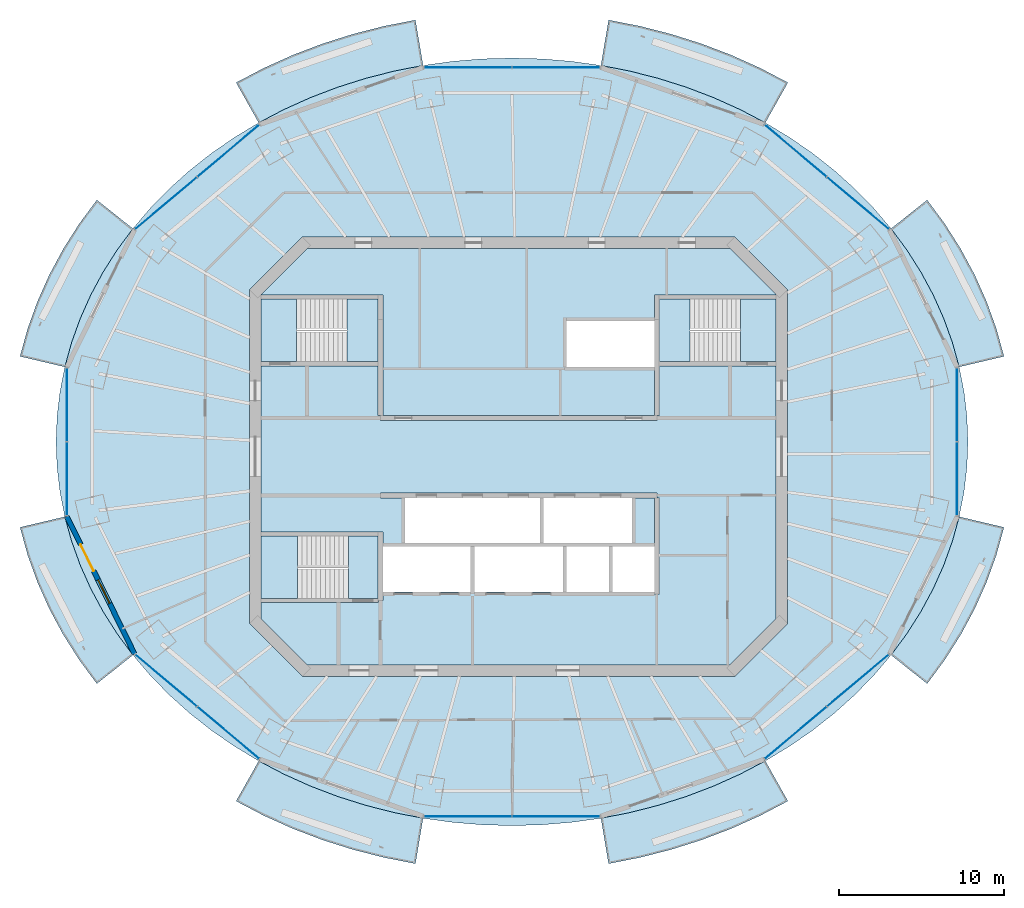
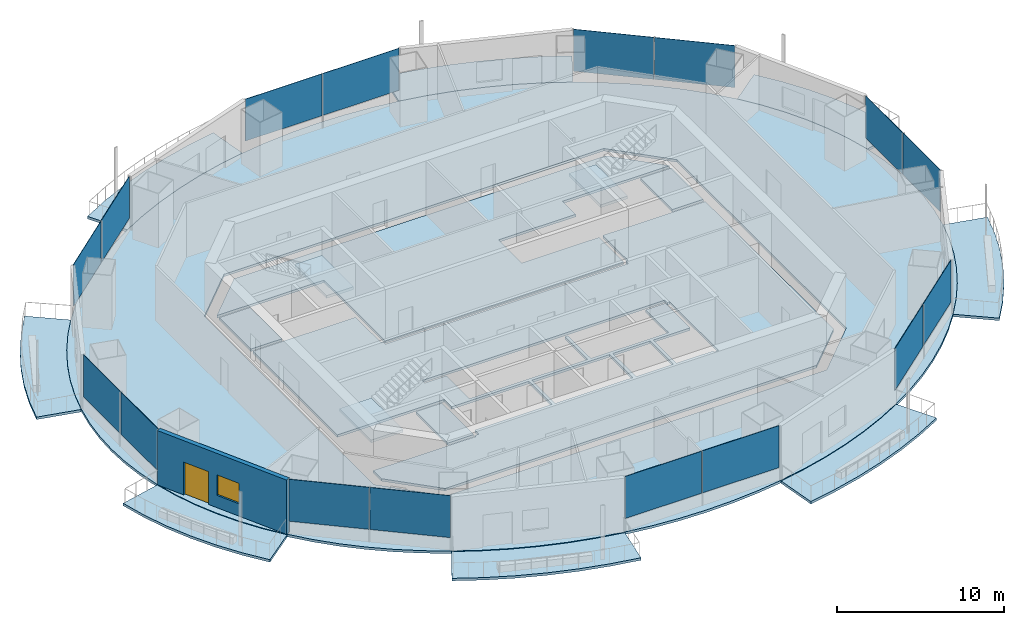
# One storey, part 7 of 16: 17 slabs, 16 plates, 1 door, 1 wall, 1 window, 2 openings, 11 elements without a shape of their own.
"""IFC4 building model written with IfcOpenShell, lengths in metres."""

from ifc_helpers import new_model, si_unit, direction, frame, frame_2d, origin, origin_2d, place, context, subcontext, project, spatial, polyline, rectangle, outline, extrude, material, layer, layer_set, type_object, element, fill, aggregate, save


model = new_model("IFC4")

# Units and contexts
model_context = context("Model", 3, precision=1e-05, world=origin(), true_north=direction((0.0, 1.0)))
body_context = subcontext(model_context, "Body", "Model", "MODEL_VIEW")
ifc_project = project(units=[si_unit("LENGTHUNIT", "METRE"), si_unit("AREAUNIT", "SQUARE_METRE"), si_unit("VOLUMEUNIT", "CUBIC_METRE"), si_unit("PLANEANGLEUNIT", "RADIAN"), si_unit("MASSUNIT", "GRAM", prefix="KILO")], contexts=[model_context])

# Site, building, storey
site_placement = place(None, origin())
site = spatial("IfcSite", under=ifc_project, at=site_placement, CompositionType="ELEMENT")
building_placement = place(site_placement, origin())
building = spatial("IfcBuilding", under=site, at=building_placement, Name="Marenthal Gate Tower", CompositionType="ELEMENT")
storey_placement = place(building_placement, frame((0.0, 0.0, 321.85009765625)))
storey = spatial("IfcBuildingStorey", under=building, at=storey_placement, Name="L72", CompositionType="ELEMENT", Elevation=321.85009765625)

# Slabs
ifc_material_1 = material(Name="Concrete 40 MPa", Category="concrete")
ifc_layer_1 = layer(ifc_material_1, 0.179931640625)
ifc_layer_set_1 = layer_set([ifc_layer_1], Name="Balcony deck 180")
slab_type_1 = type_object("IfcSlabType", Name="Balcony deck 180", PredefinedType="USERDEFINED", material=ifc_layer_set_1)
slab_1_placement = place(storey_placement, frame((0.0, 0.0, -0.22021484375)))
element("IfcSlab", 1, at=slab_1_placement, inside=storey, type_object=slab_type_1, Name="Balcony deck L72 bay 1", ObjectType="BALCONY", PredefinedType="USERDEFINED", context=body_context, shape_type="SweptSolid", body=[
    extrude(outline(polyline([(26.779541015625, 5.450927734375), (26.36767578125, 6.9375), (25.84130859375, 8.398193359375), (25.202392578125, 9.826904296875), (24.4541015625, 11.21728515625), (23.599365234375, 12.5634765625), (22.6416015625, 13.85986328125), (24.834716796875, 15.6005859375), (25.908447265625, 14.147216796875), (26.8701171875, 12.632568359375), (27.71484375, 11.063232421875), (28.43798828125, 9.4453125), (29.035888671875, 7.786865234375), (29.50439453125, 6.0947265625), (26.779541015625, 5.450927734375)])), origin(), (0.0, 0.0, 1.0), 0.18017578125),
])
slab_2_placement = place(storey_placement, frame((0.0, 0.0, -0.22021484375)))
element("IfcSlab", 2, at=slab_2_placement, inside=storey, type_object=slab_type_1, Name="Balcony deck L72 bay 3", ObjectType="BALCONY", PredefinedType="USERDEFINED", context=body_context, shape_type="SweptSolid", body=[
    extrude(outline(polyline([(14.99609375, 20.295654296875), (13.4560546875, 21.101806640625), (11.856689453125, 21.8212890625), (10.204833984375, 22.451416015625), (8.5078125, 22.989013671875), (6.7724609375, 23.43212890625), (5.00634765625, 23.77880859375), (5.46875, 26.540283203125), (7.388427734375, 26.16357421875), (9.277099609375, 25.68115234375), (11.126708984375, 25.09521484375), (12.93017578125, 24.407470703125), (14.679931640625, 23.6201171875), (16.36865234375, 22.736083984375), (14.99609375, 20.295654296875)])), origin(), (0.0, 0.0, 1.0), 0.18017578125),
])
slab_3_placement = place(storey_placement, frame((0.0, 0.0, -0.22021484375)))
element("IfcSlab", 3, at=slab_3_placement, inside=storey, type_object=slab_type_1, Name="Balcony deck L72 bay 5", ObjectType="BALCONY", PredefinedType="USERDEFINED", context=body_context, shape_type="SweptSolid", body=[
    extrude(outline(polyline([(-5.806396484375, 23.77880859375), (-7.572509765625, 23.43212890625), (-9.3076171875, 22.989013671875), (-11.0048828125, 22.451416015625), (-12.65673828125, 21.8212890625), (-14.256103515625, 21.101806640625), (-15.7958984375, 20.295654296875), (-17.168701171875, 22.736083984375), (-15.47998046875, 23.6201171875), (-13.730224609375, 24.407470703125), (-11.9267578125, 25.09521484375), (-10.076904296875, 25.68115234375), (-8.1884765625, 26.16357421875), (-6.268798828125, 26.540283203125), (-5.806396484375, 23.77880859375)])), origin(), (0.0, 0.0, 1.0), 0.18017578125),
])
slab_4_placement = place(storey_placement, frame((0.0, 0.0, -0.22021484375)))
element("IfcSlab", 4, at=slab_4_placement, inside=storey, type_object=slab_type_1, Name="Balcony deck L72 bay 7", ObjectType="BALCONY", PredefinedType="USERDEFINED", context=body_context, shape_type="SweptSolid", body=[
    extrude(outline(polyline([(-23.441650390625, 13.85986328125), (-24.3994140625, 12.5634765625), (-25.254150390625, 11.21728515625), (-26.00244140625, 9.826904296875), (-26.641357421875, 8.398193359375), (-27.167724609375, 6.9375), (-27.57958984375, 5.450927734375), (-30.304443359375, 6.0947265625), (-29.835693359375, 7.786865234375), (-29.238037109375, 9.4453125), (-28.514892578125, 11.063232421875), (-27.669921875, 12.632568359375), (-26.708251953125, 14.147216796875), (-25.634765625, 15.6005859375), (-23.441650390625, 13.85986328125)])), origin(), (0.0, 0.0, 1.0), 0.18017578125),
])
slab_5_placement = place(storey_placement, frame((0.0, 0.0, -0.22021484375)))
element("IfcSlab", 5, at=slab_5_placement, inside=storey, type_object=slab_type_1, Name="Balcony deck L72 bay 9", ObjectType="BALCONY", PredefinedType="USERDEFINED", context=body_context, shape_type="SweptSolid", body=[
    extrude(outline(polyline([(-27.57958984375, -3.65087890625), (-27.167724609375, -5.137451171875), (-26.641357421875, -6.59814453125), (-26.00244140625, -8.02685546875), (-25.254150390625, -9.417236328125), (-24.3994140625, -10.763427734375), (-23.441650390625, -12.059814453125), (-25.634765625, -13.800537109375), (-26.708251953125, -12.34716796875), (-27.669921875, -10.832763671875), (-28.514892578125, -9.26318359375), (-29.238037109375, -7.6455078125), (-29.835693359375, -5.98681640625), (-30.304443359375, -4.294921875), (-27.57958984375, -3.65087890625)])), origin(), (0.0, 0.0, 1.0), 0.18017578125),
])
slab_6_placement = place(storey_placement, frame((0.0, 0.0, -0.22021484375)))
element("IfcSlab", 6, at=slab_6_placement, inside=storey, type_object=slab_type_1, Name="Balcony deck L72 bay 11", ObjectType="BALCONY", PredefinedType="USERDEFINED", context=body_context, shape_type="SweptSolid", body=[
    extrude(outline(polyline([(-15.7958984375, -18.49560546875), (-14.256103515625, -19.3017578125), (-12.65673828125, -20.021484375), (-11.0048828125, -20.6513671875), (-9.3076171875, -21.18896484375), (-7.572509765625, -21.632080078125), (-5.806396484375, -21.978759765625), (-6.268798828125, -24.740478515625), (-8.1884765625, -24.363525390625), (-10.076904296875, -23.88134765625), (-11.9267578125, -23.295166015625), (-13.730224609375, -22.607421875), (-15.47998046875, -21.820068359375), (-17.168701171875, -20.936279296875), (-15.7958984375, -18.49560546875)])), origin(), (0.0, 0.0, 1.0), 0.18017578125),
])
slab_7_placement = place(storey_placement, frame((0.0, 0.0, -0.22021484375)))
element("IfcSlab", 7, at=slab_7_placement, inside=storey, type_object=slab_type_1, Name="Balcony deck L72 bay 13", ObjectType="BALCONY", PredefinedType="USERDEFINED", context=body_context, shape_type="SweptSolid", body=[
    extrude(outline(polyline([(5.00634765625, -21.978759765625), (6.7724609375, -21.632080078125), (8.5078125, -21.18896484375), (10.204833984375, -20.6513671875), (11.856689453125, -20.021484375), (13.4560546875, -19.3017578125), (14.99609375, -18.49560546875), (16.36865234375, -20.936279296875), (14.679931640625, -21.820068359375), (12.93017578125, -22.607421875), (11.126708984375, -23.295166015625), (9.277099609375, -23.88134765625), (7.388427734375, -24.363525390625), (5.46875, -24.740478515625), (5.00634765625, -21.978759765625)])), origin(), (0.0, 0.0, 1.0), 0.18017578125),
])
slab_8_placement = place(storey_placement, frame((0.0, 0.0, -0.22021484375)))
element("IfcSlab", 8, at=slab_8_placement, inside=storey, type_object=slab_type_1, Name="Balcony deck L72 bay 15", ObjectType="BALCONY", PredefinedType="USERDEFINED", context=body_context, shape_type="SweptSolid", body=[
    extrude(outline(polyline([(22.6416015625, -12.059814453125), (23.599365234375, -10.763427734375), (24.4541015625, -9.417236328125), (25.202392578125, -8.02685546875), (25.84130859375, -6.59814453125), (26.36767578125, -5.137451171875), (26.779541015625, -3.65087890625), (29.50439453125, -4.294921875), (29.035888671875, -5.98681640625), (28.43798828125, -7.6455078125), (27.71484375, -9.26318359375), (26.8701171875, -10.832763671875), (25.908447265625, -12.34716796875), (24.834716796875, -13.800537109375), (22.6416015625, -12.059814453125)])), origin(), (0.0, 0.0, 1.0), 0.18017578125),
])
ifc_material_2 = material(Name="Concrete 50 MPa", Category="concrete")
ifc_layer_2 = layer(ifc_material_2, 0.179931640625)
ifc_layer_set_2 = layer_set([ifc_layer_2], Name="Core floor slab 180")
slab_type_2 = type_object("IfcSlabType", Name="Core floor slab 180", PredefinedType="FLOOR", material=ifc_layer_set_2)
slab_9_placement = place(storey_placement, frame((0.0, 0.0, -0.18017578125)))
element("IfcSlab", 9, at=slab_9_placement, inside=storey, type_object=slab_type_2, Name="Core floor L72", PredefinedType="FLOOR", context=body_context, shape_type="SweptSolid", body=[
    extrude(outline(polyline([(12.85498046875, -12.64990234375), (-12.85498046875, -12.64990234375), (-15.64990234375, -9.85498046875), (-15.64990234375, -8.875), (-8.550048828125, -8.875), (-8.550048828125, -8.75), (-8.25, -8.75), (-8.25, -8.239990234375), (-5.60009765625, -8.239990234375), (-2.909912109375, -8.239990234375), (-2.909912109375, -5.4599609375), (-5.60009765625, -5.4599609375), (-8.25, -5.4599609375), (-8.25, -4.574951171875), (-8.550048828125, -4.574951171875), (-15.64990234375, -4.574951171875), (-15.64990234375, 5.52490234375), (-8.550048828125, 5.52490234375), (-8.550048828125, 2.5), (-8.39990234375, 2.5), (-8.39990234375, 2.199951171875), (8.39990234375, 2.199951171875), (8.39990234375, 2.5), (8.550048828125, 2.5), (8.550048828125, 5.52490234375), (15.64990234375, 5.52490234375), (15.64990234375, -9.85498046875), (12.85498046875, -12.64990234375)]), holes=[polyline([(0.0, -8.239990234375), (2.68994140625, -8.239990234375), (2.68994140625, -5.4599609375), (0.0, -5.4599609375), (-2.68994140625, -5.4599609375), (-2.68994140625, -8.239990234375), (0.0, -8.239990234375)]), polyline([(1.2900390625, -5.239990234375), (1.2900390625, -2.5), (1.510009765625, -2.5), (1.510009765625, -5.239990234375), (4.199951171875, -5.239990234375), (6.889892578125, -5.239990234375), (6.889892578125, -2.5), (8.25, -2.5), (8.25, -5.4599609375), (5.7099609375, -5.4599609375), (5.7099609375, -8.239990234375), (8.25, -8.239990234375), (8.25, -8.35009765625), (8.550048828125, -8.35009765625), (8.550048828125, -2.5), (8.39990234375, -2.5), (8.39990234375, -2.199951171875), (-8.39990234375, -2.199951171875), (-8.39990234375, -2.5), (-6.889892578125, -2.5), (-6.889892578125, -5.239990234375), (-4.199951171875, -5.239990234375), (-1.39990234375, -5.239990234375), (1.2900390625, -5.239990234375)]), polyline([(5.489990234375, -5.4599609375), (2.909912109375, -5.4599609375), (2.909912109375, -8.239990234375), (5.489990234375, -8.239990234375), (5.489990234375, -5.4599609375)])]), origin(), (0.0, 0.0, 1.0), 0.18017578125),
])
slab_10_placement = place(storey_placement, frame((0.0, 0.0, -0.18017578125)))
element("IfcSlab", 10, at=slab_10_placement, inside=storey, type_object=slab_type_2, Name="Core floor L72", PredefinedType="FLOOR", context=body_context, shape_type="SweptSolid", body=[
    extrude(outline(polyline([(15.64990234375, 5.77490234375), (13.5, 5.77490234375), (13.5, 9.574951171875), (15.64990234375, 9.574951171875), (15.64990234375, 5.77490234375)])), origin(), (0.0, 0.0, 1.0), 0.18017578125),
])
slab_11_placement = place(storey_placement, frame((0.0, 0.0, -0.18017578125)))
element("IfcSlab", 11, at=slab_11_placement, inside=storey, type_object=slab_type_2, Name="Core floor L72", PredefinedType="FLOOR", context=body_context, shape_type="SweptSolid", body=[
    extrude(outline(polyline([(15.64990234375, 9.824951171875), (8.550048828125, 9.824951171875), (8.25, 9.824951171875), (8.25, 8.35009765625), (8.25, 8.239990234375), (5.60009765625, 8.239990234375), (2.909912109375, 8.239990234375), (2.909912109375, 5.4599609375), (5.60009765625, 5.4599609375), (8.25, 5.4599609375), (8.25, 2.5), (-8.25, 2.5), (-8.25, 8.35009765625), (-8.25, 9.824951171875), (-8.550048828125, 9.824951171875), (-15.64990234375, 9.824951171875), (-15.64990234375, 9.85498046875), (-12.85498046875, 12.64990234375), (12.85498046875, 12.64990234375), (15.64990234375, 9.85498046875), (15.64990234375, 9.824951171875)])), origin(), (0.0, 0.0, 1.0), 0.18017578125),
])
slab_12_placement = place(storey_placement, frame((0.0, 0.0, -0.18017578125)))
element("IfcSlab", 12, at=slab_12_placement, inside=storey, type_object=slab_type_2, Name="Core floor L72", PredefinedType="FLOOR", context=body_context, shape_type="SweptSolid", body=[
    extrude(outline(polyline([(-15.64990234375, 9.574951171875), (-13.5, 9.574951171875), (-13.5, 5.77490234375), (-15.64990234375, 5.77490234375), (-15.64990234375, 9.574951171875)])), origin(), (0.0, 0.0, 1.0), 0.18017578125),
])
slab_13_placement = place(storey_placement, frame((0.0, 0.0, -0.18017578125)))
element("IfcSlab", 13, at=slab_13_placement, inside=storey, type_object=slab_type_2, Name="Core floor L72", PredefinedType="FLOOR", context=body_context, shape_type="SweptSolid", body=[
    extrude(outline(polyline([(-8.550048828125, -4.824951171875), (-8.550048828125, -8.625), (-10.35009765625, -8.625), (-10.35009765625, -4.824951171875), (-8.550048828125, -4.824951171875)])), origin(), (0.0, 0.0, 1.0), 0.18017578125),
])
ifc_material_3 = material(Name="Concrete 35 MPa", Category="concrete")
ifc_layer_3 = layer(ifc_material_3, 0.179931640625)
ifc_layer_set_3 = layer_set([ifc_layer_3], Name="Floor slab 180")
slab_type_3 = type_object("IfcSlabType", Name="Floor slab 180", PredefinedType="FLOOR", material=ifc_layer_set_3)
slab_14_placement = place(storey_placement, frame((0.0, 0.0, -0.18017578125)))
element("IfcSlab", 14, at=slab_14_placement, inside=storey, type_object=slab_type_3, Name="SL-L72-01", PredefinedType="FLOOR", context=body_context, shape_type="SweptSolid", body=[
    extrude(outline(polyline([(27.31201171875, 0.89990234375), (27.252685546875, 2.42578125), (27.074951171875, 3.94482421875), (26.779541015625, 5.450927734375), (26.36767578125, 6.9375), (25.84130859375, 8.398193359375), (25.202392578125, 9.826904296875), (24.4541015625, 11.21728515625), (23.599365234375, 12.5634765625), (22.6416015625, 13.85986328125), (21.58544921875, 15.1005859375), (20.43505859375, 16.280517578125), (19.1953125, 17.394775390625), (17.871826171875, 18.438232421875), (16.469970703125, 19.406494140625), (14.99609375, 20.295654296875), (13.4560546875, 21.101806640625), (11.856689453125, 21.8212890625), (10.204833984375, 22.451416015625), (8.5078125, 22.989013671875), (6.7724609375, 23.43212890625), (5.00634765625, 23.77880859375), (3.217041015625, 24.02734375), (1.41259765625, 24.177001953125), (-0.39990234375, 24.22705078125), (-2.21240234375, 24.177001953125), (-4.01708984375, 24.02734375), (-5.806396484375, 23.77880859375), (-7.572509765625, 23.43212890625), (-9.3076171875, 22.989013671875), (-11.0048828125, 22.451416015625), (-12.65673828125, 21.8212890625), (-14.256103515625, 21.101806640625), (-15.7958984375, 20.295654296875), (-17.27001953125, 19.406494140625), (-18.671875, 18.438232421875), (-19.995361328125, 17.394775390625), (-21.235107421875, 16.280517578125), (-22.385498046875, 15.1005859375), (-23.441650390625, 13.85986328125), (-24.3994140625, 12.5634765625), (-25.254150390625, 11.21728515625), (-26.00244140625, 9.826904296875), (-26.641357421875, 8.398193359375), (-27.167724609375, 6.9375), (-27.57958984375, 5.450927734375), (-27.875, 3.94482421875), (-28.052734375, 2.42578125), (-28.112060546875, 0.89990234375), (-28.052734375, -0.625732421875), (-27.875, -2.144775390625), (-27.57958984375, -3.65087890625), (-27.167724609375, -5.137451171875), (-26.641357421875, -6.59814453125), (-26.00244140625, -8.02685546875), (-25.254150390625, -9.417236328125), (-24.3994140625, -10.763427734375), (-23.441650390625, -12.059814453125), (-22.385498046875, -13.300537109375), (-21.235107421875, -14.480712890625), (-19.995361328125, -15.5947265625), (-18.671875, -16.63818359375), (-17.27001953125, -17.606689453125), (-15.7958984375, -18.49560546875), (-14.256103515625, -19.3017578125), (-12.65673828125, -20.021484375), (-11.0048828125, -20.6513671875), (-9.3076171875, -21.18896484375), (-7.572509765625, -21.632080078125), (-5.806396484375, -21.978759765625), (-4.01708984375, -22.227294921875), (-2.21240234375, -22.377197265625), (-0.39990234375, -22.427001953125), (1.41259765625, -22.377197265625), (3.217041015625, -22.227294921875), (5.00634765625, -21.978759765625), (6.7724609375, -21.632080078125), (8.5078125, -21.18896484375), (10.204833984375, -20.6513671875), (11.856689453125, -20.021484375), (13.4560546875, -19.3017578125), (14.99609375, -18.49560546875), (16.469970703125, -17.606689453125), (17.871826171875, -16.63818359375), (19.1953125, -15.5947265625), (20.43505859375, -14.480712890625), (21.58544921875, -13.300537109375), (22.6416015625, -12.059814453125), (23.599365234375, -10.763427734375), (24.4541015625, -9.417236328125), (25.202392578125, -8.02685546875), (25.84130859375, -6.59814453125), (26.36767578125, -5.137451171875), (26.779541015625, -3.65087890625), (27.074951171875, -2.144775390625), (27.252685546875, -0.625732421875), (27.31201171875, 0.89990234375)]), holes=[polyline([(13.14501953125, -13.35009765625), (16.35009765625, -10.14501953125), (16.35009765625, 10.14501953125), (13.14501953125, 13.35009765625), (-13.14501953125, 13.35009765625), (-16.35009765625, 10.14501953125), (-16.35009765625, -10.14501953125), (-13.14501953125, -13.35009765625), (13.14501953125, -13.35009765625)])]), origin(), (0.0, 0.0, 1.0), 0.18017578125),
])

# Curtain wall, plates
ifc_material_4 = material(Name="Aluminium and glass", Category="aluminium")
curtain_wall_type = type_object("IfcCurtainWallType", Name="Curtain wall typical high", PredefinedType="NOTDEFINED", material=ifc_material_4)
curtain_wall_1_placement = place(storey_placement, origin())
curtain_wall_1 = element("IfcCurtainWall", 15, at=curtain_wall_1_placement, inside=storey, type_object=curtain_wall_type, Name="Curtain wall L72 bay 2", PredefinedType="NOTDEFINED")
ifc_material_5 = material(Name="Glass, laminated insulating unit", Category="glass")
ifc_layer_4 = layer(ifc_material_5, 0.031982421875)
ifc_layer_set_4 = layer_set([ifc_layer_4], Name="Glass panel 32 typical high")
plate_type = type_object("IfcPlateType", Name="Glass panel 32 typical high", PredefinedType="CURTAIN_PANEL", material=ifc_layer_set_4)
plate_1_placement = place(storey_placement, frame((20.627197265625, 15.403564453125, 0.89990234375), z_axis=(0.0, 0.0, 1.0), x_axis=(-0.76529793122, 0.643676220215, 0.0)))
plate_1 = element("IfcPlate", 16, at=plate_1_placement, type_object=plate_type, Name="Glass panel L72 bay 2.1", PredefinedType="CURTAIN_PANEL", context=body_context, shape_type="SweptSolid", body=[
    extrude(rectangle(XDim=4.883544921875, YDim=0.031982421875, at=origin_2d()), origin(), (0.0, 0.0, 1.0), 3.070068359375),
])
plate_2_placement = place(storey_placement, frame((16.843994140625, 18.58544921875, 0.89990234375), z_axis=(0.0, 0.0, 1.0), x_axis=(-0.76529793122, 0.643676220215, 0.0)))
plate_2 = element("IfcPlate", 17, at=plate_2_placement, type_object=plate_type, Name="Glass panel L72 bay 2.2", PredefinedType="CURTAIN_PANEL", context=body_context, shape_type="SweptSolid", body=[
    extrude(rectangle(XDim=4.883544921875, YDim=0.031982421875, at=origin_2d()), origin(), (0.0, 0.0, 1.0), 3.070068359375),
])
aggregate(curtain_wall_1, [plate_1, plate_2])

curtain_wall_2_placement = place(storey_placement, origin())
curtain_wall_2 = element("IfcCurtainWall", 18, at=curtain_wall_2_placement, inside=storey, type_object=curtain_wall_type, Name="Curtain wall L72 bay 4", PredefinedType="NOTDEFINED")
plate_3_placement = place(storey_placement, frame((2.2763671875, 23.6611328125, 0.89990234375), z_axis=(0.0, 0.0, 1.0), x_axis=(-1.0, 0.0, 0.0)))
plate_3 = element("IfcPlate", 19, at=plate_3_placement, type_object=plate_type, Name="Glass panel L72 bay 4.1", PredefinedType="CURTAIN_PANEL", context=body_context, shape_type="SweptSolid", body=[
    extrude(rectangle(XDim=5.29296875, YDim=0.031982421875, at=origin_2d()), origin(), (0.0, 0.0, 1.0), 3.070068359375),
])
plate_4_placement = place(storey_placement, frame((-3.076416015625, 23.6611328125, 0.89990234375), z_axis=(0.0, 0.0, 1.0), x_axis=(-1.0, 0.0, 0.0)))
plate_4 = element("IfcPlate", 20, at=plate_4_placement, type_object=plate_type, Name="Glass panel L72 bay 4.2", PredefinedType="CURTAIN_PANEL", context=body_context, shape_type="SweptSolid", body=[
    extrude(rectangle(XDim=5.29296875, YDim=0.031982421875, at=origin_2d()), origin(), (0.0, 0.0, 1.0), 3.070068359375),
])
aggregate(curtain_wall_2, [plate_3, plate_4])

curtain_wall_3_placement = place(storey_placement, origin())
curtain_wall_3 = element("IfcCurtainWall", 21, at=curtain_wall_3_placement, inside=storey, type_object=curtain_wall_type, Name="Curtain wall L72 bay 6", PredefinedType="NOTDEFINED")
plate_5_placement = place(storey_placement, frame((-17.64404296875, 18.58544921875, 0.89990234375), z_axis=(0.0, 0.0, 1.0), x_axis=(-0.76529793122, -0.643676220215, 0.0)))
plate_5 = element("IfcPlate", 22, at=plate_5_placement, type_object=plate_type, Name="Glass panel L72 bay 6.1", PredefinedType="CURTAIN_PANEL", context=body_context, shape_type="SweptSolid", body=[
    extrude(rectangle(XDim=4.883544921875, YDim=0.031982421875, at=origin_2d()), origin(), (0.0, 0.0, 1.0), 3.070068359375),
])
plate_6_placement = place(storey_placement, frame((-21.42724609375, 15.403564453125, 0.89990234375), z_axis=(0.0, 0.0, 1.0), x_axis=(-0.76529793122, -0.643676220215, 0.0)))
plate_6 = element("IfcPlate", 23, at=plate_6_placement, type_object=plate_type, Name="Glass panel L72 bay 6.2", PredefinedType="CURTAIN_PANEL", context=body_context, shape_type="SweptSolid", body=[
    extrude(rectangle(XDim=4.883544921875, YDim=0.031982421875, at=origin_2d()), origin(), (0.0, 0.0, 1.0), 3.070068359375),
])
aggregate(curtain_wall_3, [plate_5, plate_6])

curtain_wall_4_placement = place(storey_placement, origin())
curtain_wall_4 = element("IfcCurtainWall", 24, at=curtain_wall_4_placement, inside=storey, type_object=curtain_wall_type, Name="Curtain wall L72 bay 8", PredefinedType="NOTDEFINED")
plate_7_placement = place(storey_placement, frame((-27.4619140625, 3.148681640625, 0.89990234375), z_axis=(0.0, 0.0, 1.0), x_axis=(0.0, -1.0, 0.0)))
plate_7 = element("IfcPlate", 25, at=plate_7_placement, type_object=plate_type, Name="Glass panel L72 bay 8.1", PredefinedType="CURTAIN_PANEL", context=body_context, shape_type="SweptSolid", body=[
    extrude(rectangle(XDim=4.4375, YDim=0.031982421875, at=origin_2d()), origin(), (0.0, 0.0, 1.0), 3.070068359375),
])
plate_8_placement = place(storey_placement, frame((-27.4619140625, -1.3486328125, 0.89990234375), z_axis=(0.0, 0.0, 1.0), x_axis=(0.0, -1.0, 0.0)))
plate_8 = element("IfcPlate", 26, at=plate_8_placement, type_object=plate_type, Name="Glass panel L72 bay 8.2", PredefinedType="CURTAIN_PANEL", context=body_context, shape_type="SweptSolid", body=[
    extrude(rectangle(XDim=4.4375, YDim=0.031982421875, at=origin_2d()), origin(), (0.0, 0.0, 1.0), 3.070068359375),
])
aggregate(curtain_wall_4, [plate_7, plate_8])

curtain_wall_5_placement = place(storey_placement, origin())
curtain_wall_5 = element("IfcCurtainWall", 27, at=curtain_wall_5_placement, inside=storey, type_object=curtain_wall_type, Name="Curtain wall L72 bay 10", PredefinedType="NOTDEFINED")
plate_9_placement = place(storey_placement, frame((-21.42724609375, -13.603515625, 0.89990234375), z_axis=(0.0, 0.0, 1.0), x_axis=(0.76529793122, -0.643676220215, 0.0)))
plate_9 = element("IfcPlate", 28, at=plate_9_placement, type_object=plate_type, Name="Glass panel L72 bay 10.1", PredefinedType="CURTAIN_PANEL", context=body_context, shape_type="SweptSolid", body=[
    extrude(rectangle(XDim=4.883544921875, YDim=0.031982421875, at=origin_2d()), origin(), (0.0, 0.0, 1.0), 3.070068359375),
])
plate_10_placement = place(storey_placement, frame((-17.64404296875, -16.78564453125, 0.89990234375), z_axis=(0.0, 0.0, 1.0), x_axis=(0.76529793122, -0.643676220215, 0.0)))
plate_10 = element("IfcPlate", 29, at=plate_10_placement, type_object=plate_type, Name="Glass panel L72 bay 10.2", PredefinedType="CURTAIN_PANEL", context=body_context, shape_type="SweptSolid", body=[
    extrude(rectangle(XDim=4.883544921875, YDim=0.031982421875, at=origin_2d()), origin(), (0.0, 0.0, 1.0), 3.070068359375),
])
aggregate(curtain_wall_5, [plate_9, plate_10])

curtain_wall_6_placement = place(storey_placement, origin())
curtain_wall_6 = element("IfcCurtainWall", 30, at=curtain_wall_6_placement, inside=storey, type_object=curtain_wall_type, Name="Curtain wall L72 bay 12", PredefinedType="NOTDEFINED")
plate_11_placement = place(storey_placement, frame((-3.076416015625, -21.861083984375, 0.89990234375), z_axis=(0.0, 0.0, 1.0), x_axis=(1.0, 0.0, 0.0)))
plate_11 = element("IfcPlate", 31, at=plate_11_placement, type_object=plate_type, Name="Glass panel L72 bay 12.1", PredefinedType="CURTAIN_PANEL", context=body_context, shape_type="SweptSolid", body=[
    extrude(rectangle(XDim=5.29296875, YDim=0.031982421875, at=origin_2d()), origin(), (0.0, 0.0, 1.0), 3.070068359375),
])
plate_12_placement = place(storey_placement, frame((2.2763671875, -21.861083984375, 0.89990234375), z_axis=(0.0, 0.0, 1.0), x_axis=(1.0, 0.0, 0.0)))
plate_12 = element("IfcPlate", 32, at=plate_12_placement, type_object=plate_type, Name="Glass panel L72 bay 12.2", PredefinedType="CURTAIN_PANEL", context=body_context, shape_type="SweptSolid", body=[
    extrude(rectangle(XDim=5.29296875, YDim=0.031982421875, at=origin_2d()), origin(), (0.0, 0.0, 1.0), 3.070068359375),
])
aggregate(curtain_wall_6, [plate_11, plate_12])

curtain_wall_7_placement = place(storey_placement, origin())
curtain_wall_7 = element("IfcCurtainWall", 33, at=curtain_wall_7_placement, inside=storey, type_object=curtain_wall_type, Name="Curtain wall L72 bay 14", PredefinedType="NOTDEFINED")
plate_13_placement = place(storey_placement, frame((16.843994140625, -16.78564453125, 0.89990234375), z_axis=(0.0, 0.0, 1.0), x_axis=(0.76529793122, 0.643676220215, 0.0)))
plate_13 = element("IfcPlate", 34, at=plate_13_placement, type_object=plate_type, Name="Glass panel L72 bay 14.1", PredefinedType="CURTAIN_PANEL", context=body_context, shape_type="SweptSolid", body=[
    extrude(rectangle(XDim=4.883544921875, YDim=0.031982421875, at=origin_2d()), origin(), (0.0, 0.0, 1.0), 3.070068359375),
])
plate_14_placement = place(storey_placement, frame((20.627197265625, -13.603515625, 0.89990234375), z_axis=(0.0, 0.0, 1.0), x_axis=(0.76529793122, 0.643676220215, 0.0)))
plate_14 = element("IfcPlate", 35, at=plate_14_placement, type_object=plate_type, Name="Glass panel L72 bay 14.2", PredefinedType="CURTAIN_PANEL", context=body_context, shape_type="SweptSolid", body=[
    extrude(rectangle(XDim=4.883544921875, YDim=0.031982421875, at=origin_2d()), origin(), (0.0, 0.0, 1.0), 3.070068359375),
])
aggregate(curtain_wall_7, [plate_13, plate_14])

curtain_wall_8_placement = place(storey_placement, origin())
curtain_wall_8 = element("IfcCurtainWall", 36, at=curtain_wall_8_placement, inside=storey, type_object=curtain_wall_type, Name="Curtain wall L72 bay 16", PredefinedType="NOTDEFINED")
plate_15_placement = place(storey_placement, frame((26.661865234375, -1.3486328125, 0.89990234375), z_axis=(0.0, 0.0, 1.0), x_axis=(0.0, 1.0, 0.0)))
plate_15 = element("IfcPlate", 37, at=plate_15_placement, type_object=plate_type, Name="Glass panel L72 bay 16.1", PredefinedType="CURTAIN_PANEL", context=body_context, shape_type="SweptSolid", body=[
    extrude(rectangle(XDim=4.4375, YDim=0.031982421875, at=origin_2d()), origin(), (0.0, 0.0, 1.0), 3.070068359375),
])
plate_16_placement = place(storey_placement, frame((26.661865234375, 3.148681640625, 0.89990234375), z_axis=(0.0, 0.0, 1.0), x_axis=(0.0, 1.0, 0.0)))
plate_16 = element("IfcPlate", 38, at=plate_16_placement, type_object=plate_type, Name="Glass panel L72 bay 16.2", PredefinedType="CURTAIN_PANEL", context=body_context, shape_type="SweptSolid", body=[
    extrude(rectangle(XDim=4.4375, YDim=0.031982421875, at=origin_2d()), origin(), (0.0, 0.0, 1.0), 3.070068359375),
])
aggregate(curtain_wall_8, [plate_15, plate_16])

# Stair, slab
ifc_material_6 = material(Name="Concrete 40 MPa", Category="concrete")
stair_type = type_object("IfcStairType", Name="Exit stair 1800", PredefinedType="HALF_TURN_STAIR", material=ifc_material_6)
stair_1_placement = place(storey_placement, origin())
stair_1 = element("IfcStair", 39, at=stair_1_placement, inside=storey, type_object=stair_type, Name="Stair ST1", PredefinedType="HALF_TURN_STAIR")
ifc_material_7 = material(Name="Concrete 40 MPa", Category="concrete")
ifc_layer_5 = layer(ifc_material_7, 0.199951171875)
ifc_layer_set_5 = layer_set([ifc_layer_5], Name="Stair landing 200")
slab_type_4 = type_object("IfcSlabType", Name="Stair landing 200", PredefinedType="LANDING", material=ifc_layer_set_5)
slab_15_placement = place(storey_placement, frame((0.0, 0.0, 1.875)))
slab_15 = element("IfcSlab", 40, at=slab_15_placement, type_object=slab_type_4, Name="ST1 landing 1", PredefinedType="LANDING", context=body_context, shape_type="SweptSolid", body=[
    extrude(outline(polyline([(-10.419921875, 5.77490234375), (-8.550048828125, 5.77490234375), (-8.550048828125, 9.574951171875), (-10.419921875, 9.574951171875), (-10.419921875, 5.77490234375)])), origin(), (0.0, 0.0, 1.0), 0.199951171875),
])
aggregate(stair_1, [slab_15])

stair_2_placement = place(storey_placement, origin())
stair_2 = element("IfcStair", 41, at=stair_2_placement, inside=storey, type_object=stair_type, Name="Stair ST2", PredefinedType="HALF_TURN_STAIR")
slab_16_placement = place(storey_placement, frame((0.0, 0.0, 1.875)))
slab_16 = element("IfcSlab", 42, at=slab_16_placement, type_object=slab_type_4, Name="ST2 landing 1", PredefinedType="LANDING", context=body_context, shape_type="SweptSolid", body=[
    extrude(outline(polyline([(-15.64990234375, -8.625), (-13.429931640625, -8.625), (-13.429931640625, -4.824951171875), (-15.64990234375, -4.824951171875), (-15.64990234375, -8.625)])), origin(), (0.0, 0.0, 1.0), 0.199951171875),
])
aggregate(stair_2, [slab_16])

stair_3_placement = place(storey_placement, origin())
stair_3 = element("IfcStair", 43, at=stair_3_placement, inside=storey, type_object=stair_type, Name="Stair ST3", PredefinedType="HALF_TURN_STAIR")
slab_17_placement = place(storey_placement, frame((0.0, 0.0, 1.875)))
slab_17 = element("IfcSlab", 44, at=slab_17_placement, type_object=slab_type_4, Name="ST3 landing 1", PredefinedType="LANDING", context=body_context, shape_type="SweptSolid", body=[
    extrude(outline(polyline([(8.550048828125, 5.77490234375), (10.419921875, 5.77490234375), (10.419921875, 9.574951171875), (8.550048828125, 9.574951171875), (8.550048828125, 5.77490234375)])), origin(), (0.0, 0.0, 1.0), 0.199951171875),
])
aggregate(stair_3, [slab_17])

# Wall, openings, door, window
ifc_material_8 = material(Name="Terracotta cladding on insulated concrete-block backing", Category="masonry")
ifc_layer_6 = layer(ifc_material_8, 0.300048828125)
ifc_layer_set_6 = layer_set([ifc_layer_6], Name="Terracotta facade wall 300")
wall_type = type_object("IfcWallType", Name="Terracotta facade wall 300", PredefinedType="SOLIDWALL", material=ifc_layer_set_6)
wall_placement = place(storey_placement, frame((-27.4619140625, -3.62744140625, 0.0), z_axis=(0.0, 0.0, 1.0), x_axis=(0.441822778199, -0.897102353505, 0.0)))
wall = element("IfcWall", 45, at=wall_placement, inside=storey, type_object=wall_type, Name="Terracotta facade wall L72 bay 9", PredefinedType="SOLIDWALL", context=body_context, shape_type="SweptSolid", body=[
    extrude(rectangle(XDim=9.3251953125, YDim=0.300048828125, at=frame_2d((4.66259765625, 0.0))), origin(), (0.0, 0.0, 1.0), 3.969970703125),
])
opening_1_placement = place(wall_placement, frame((1.89990234375, 0.0, 0.0)))
opening_1 = element("IfcOpeningElement", 46, at=opening_1_placement, cuts=wall, Name="Opening BD-L72-09", PredefinedType="OPENING", context=body_context, shape_type="SweptSolid", body=[
    extrude(rectangle(XDim=1.800048828125, YDim=2.39990234375, at=frame_2d((0.89990234375, 1.199951171875))), frame((0.0, 0.16015625, 0.0), z_axis=(0.0, -1.0, 0.0), x_axis=(1.0, 0.0, 0.0)), (0.0, 0.0, 1.0), 0.320068359375),
])
opening_2_placement = place(wall_placement, frame((4.300048828125, 0.0, 0.89990234375)))
opening_2 = element("IfcOpeningElement", 47, at=opening_2_placement, cuts=wall, Name="Opening WN3-L72-09", PredefinedType="OPENING", context=body_context, shape_type="SweptSolid", body=[
    extrude(rectangle(XDim=1.60009765625, YDim=1.5, at=frame_2d((0.800048828125, 0.75))), frame((0.0, 0.16015625, 0.0), z_axis=(0.0, -1.0, 0.0), x_axis=(1.0, 0.0, 0.0)), (0.0, 0.0, 1.0), 0.320068359375),
])
ifc_material_9 = material(Name="Aluminium and glass", Category="aluminium")
door_type = type_object("IfcDoorType", Name="Balcony door 1800x2400", OperationType="DOUBLE_DOOR_SINGLE_SWING", PredefinedType="DOOR", material=ifc_material_9)
door_placement = place(opening_1_placement, origin())
door = element("IfcDoor", 48, at=door_placement, inside=storey, type_object=door_type, Name="Balcony door L72 bay 9", OperationType="SINGLE_SWING_LEFT", OverallHeight=2.39990234375, OverallWidth=1.800048828125, PredefinedType="DOOR", context=body_context, shape_type="SweptSolid", body=[
    extrude(rectangle(XDim=1.800048828125, YDim=2.39990234375, at=frame_2d((0.89990234375, 1.199951171875))), frame((0.0, 0.02490234375, 0.0), z_axis=(0.0, -1.0, 0.0), x_axis=(1.0, 0.0, 0.0)), (0.0, 0.0, 1.0), 0.050048828125),
])
fill(opening_1, door)
ifc_material_10 = material(Name="Aluminium and glass", Category="aluminium")
window_type = type_object("IfcWindowType", Name="Window 1600x1500", PartitioningType="DOUBLE_PANEL_VERTICAL", PredefinedType="WINDOW", material=ifc_material_10)
window_placement = place(opening_2_placement, origin())
window = element("IfcWindow", 49, at=window_placement, inside=storey, type_object=window_type, Name="Window L72 bay 9", OverallHeight=1.5, OverallWidth=1.60009765625, PartitioningType="SINGLE_PANEL", PredefinedType="WINDOW", context=body_context, shape_type="SweptSolid", body=[
    extrude(rectangle(XDim=1.60009765625, YDim=1.5, at=frame_2d((0.800048828125, 0.75))), frame((0.0, 0.030029296875, 0.0), z_axis=(0.0, -1.0, 0.0), x_axis=(1.0, 0.0, 0.0)), (0.0, 0.0, 1.0), 0.06005859375),
])
fill(opening_2, window)

save(model, "model.ifc")
